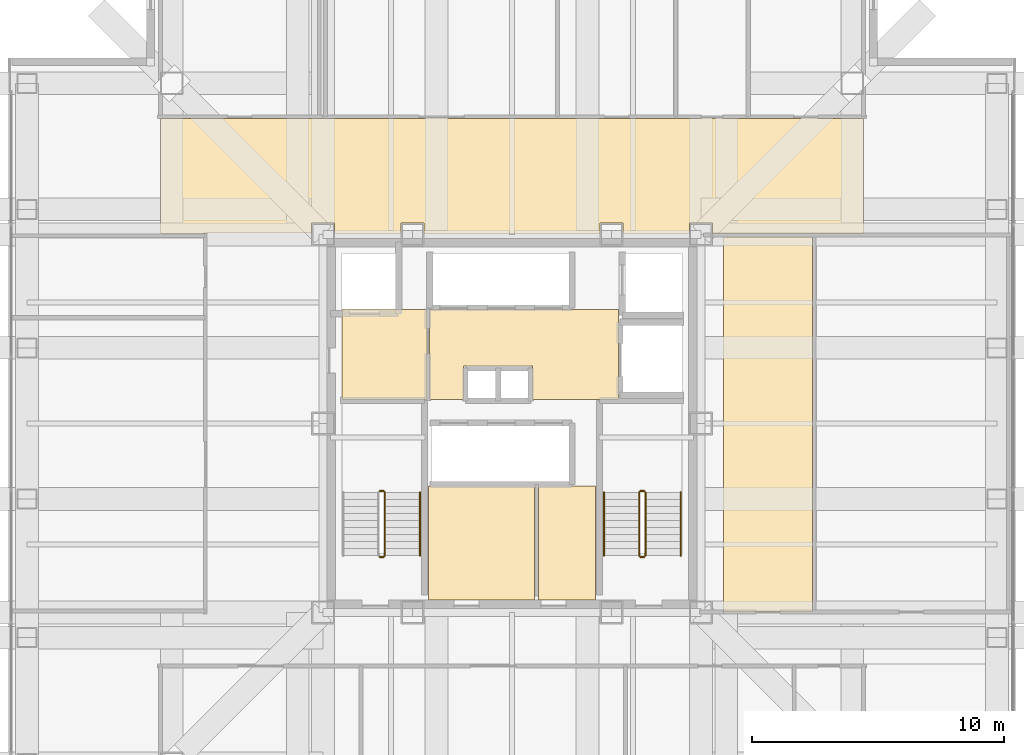
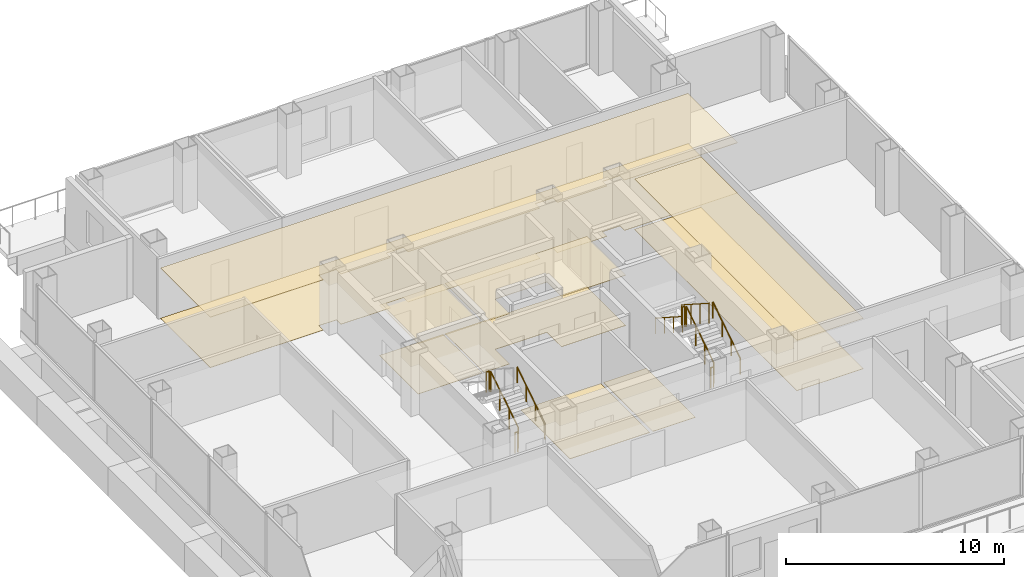
# One storey, part 13 of 14: 10 coverings, 10 railings.
"""IFC4 building model written with IfcOpenShell, lengths in metres."""

from ifc_helpers import new_model, si_unit, direction, frame, origin, origin_2d, place, context, subcontext, project, spatial, polyline, circle, outline, extrude, material, layer, layer_set, type_object, element, save


model = new_model("IFC4")

# Units and contexts
model_context = context("Model", 3, precision=1e-05, world=origin(), true_north=direction((0.0, 1.0)))
body_context = subcontext(model_context, "Body", "Model", "MODEL_VIEW")
ifc_project = project(units=[si_unit("LENGTHUNIT", "METRE"), si_unit("AREAUNIT", "SQUARE_METRE"), si_unit("VOLUMEUNIT", "CUBIC_METRE"), si_unit("PLANEANGLEUNIT", "RADIAN"), si_unit("MASSUNIT", "GRAM", prefix="KILO")], contexts=[model_context])

# Site, building, storey
site_placement = place(None, origin())
site = spatial("IfcSite", under=ifc_project, at=site_placement, CompositionType="ELEMENT")
building_placement = place(site_placement, origin())
building = spatial("IfcBuilding", under=site, at=building_placement, Name="Trevonay Congress Spire", CompositionType="ELEMENT")
storey_placement = place(building_placement, frame((0.0, 0.0, 166.199951171875)))
storey = spatial("IfcBuildingStorey", under=building, at=storey_placement, Name="L42", CompositionType="ELEMENT", Elevation=166.199951171875)

# Coverings
ifc_material_1 = material(Name="Acoustic Mineral Fibre Board", Category="gypsum")
ifc_layer_1 = layer(ifc_material_1, 0.02490234375, Name="Acoustic Mineral Fibre Board")
ifc_layer_set_1 = layer_set([ifc_layer_1], Name="Acoustic Mineral Fibre Board")
covering_type_1 = type_object("IfcCoveringType", Name="COV-CEIL-ACOUSTIC", PredefinedType="CEILING", material=ifc_layer_set_1)
covering_1_placement = place(storey_placement, frame((0.0, 0.0, 2.81005859375)))
element("IfcCovering", 1, at=covering_1_placement, inside=storey, type_object=covering_type_1, Name="L42 Firefighting Lift Lobby West acoustic suspended ceiling", PredefinedType="CEILING", context=body_context, shape_type="SweptSolid", body=[
    extrude(outline(polyline([(-6.75, 0.9599609375), (-3.3798828125, 0.9599609375), (-3.3798828125, 4.52001953125), (-6.75, 4.52001953125), (-6.75, 0.9599609375)])), origin(), (0.0, 0.0, 1.0), 0.02490234375),
])
covering_2_placement = place(storey_placement, frame((0.0, 0.0, 2.81005859375)))
element("IfcCovering", 2, at=covering_2_placement, inside=storey, type_object=covering_type_1, Name="L42 Central and High-Rise Passenger Lift Lobby acoustic suspended ceiling", PredefinedType="CEILING", context=body_context, shape_type="SweptSolid", body=[
    extrude(outline(polyline([(-3.280029296875, 0.949951171875), (-1.919921875, 0.949951171875), (-1.919921875, 2.280029296875), (0.820068359375, 2.280029296875), (0.820068359375, 0.949951171875), (4.219970703125, 0.949951171875), (4.219970703125, 4.52001953125), (-3.280029296875, 4.52001953125), (-3.280029296875, 0.949951171875)])), origin(), (0.0, 0.0, 1.0), 0.02490234375),
])
covering_3_placement = place(storey_placement, frame((0.0, 0.0, 2.81005859375)))
element("IfcCovering", 3, at=covering_3_placement, inside=storey, type_object=covering_type_1, Name="L42 North Sky Promenade Salon acoustic suspended ceiling", PredefinedType="CEILING", context=body_context, shape_type="SweptSolid", body=[
    extrude(outline(polyline([(-13.949951171875, 12.10009765625), (13.949951171875, 12.10009765625), (13.949951171875, 7.550048828125), (7.9599609375, 7.550048828125), (7.9599609375, 7.9599609375), (7.0400390625, 7.9599609375), (7.0400390625, 7.550048828125), (4.409912109375, 7.550048828125), (4.409912109375, 7.9599609375), (3.489990234375, 7.9599609375), (3.489990234375, 7.550048828125), (-3.489990234375, 7.550048828125), (-3.489990234375, 7.9599609375), (-4.409912109375, 7.9599609375), (-4.409912109375, 7.550048828125), (-7.0400390625, 7.550048828125), (-7.0400390625, 7.9599609375), (-7.9599609375, 7.9599609375), (-7.9599609375, 7.56005859375), (-12.110107421875, 7.56005859375), (-12.110107421875, 7.550048828125), (-13.949951171875, 7.550048828125), (-13.949951171875, 12.10009765625)])), origin(), (0.0, 0.0, 1.0), 0.02490234375),
])
covering_4_placement = place(storey_placement, frame((0.0, 0.0, 2.81005859375)))
element("IfcCovering", 4, at=covering_4_placement, inside=storey, type_object=covering_type_1, Name="L42 Corporate Reception Office acoustic suspended ceiling", PredefinedType="CEILING", context=body_context, shape_type="SweptSolid", body=[
    extrude(outline(polyline([(8.39990234375, -7.47998046875), (11.919921875, -7.47998046875), (11.919921875, 7.39990234375), (8.39990234375, 7.39990234375), (8.39990234375, -7.47998046875)])), origin(), (0.0, 0.0, 1.0), 0.02490234375),
])
ifc_material_2 = material(Name="Polished Granite Floor Tile", Category="masonry")
ifc_layer_2 = layer(ifc_material_2, 0.02001953125, Name="Polished Granite Floor Tile")
ifc_layer_set_2 = layer_set([ifc_layer_2], Name="Polished Granite Floor Tile")
covering_type_2 = type_object("IfcCoveringType", Name="COV-FLOOR-STONE", PredefinedType="FLOORING", material=ifc_layer_set_2)
covering_5_placement = place(storey_placement, origin())
element("IfcCovering", 5, at=covering_5_placement, inside=storey, type_object=covering_type_2, Name="L42 Firefighting Lift Lobby West floor finish", PredefinedType="FLOORING", context=body_context, shape_type="SweptSolid", body=[
    extrude(outline(polyline([(-6.75, 0.9599609375), (-3.3798828125, 0.9599609375), (-3.3798828125, 4.52001953125), (-6.75, 4.52001953125), (-6.75, 0.9599609375)])), origin(), (0.0, 0.0, 1.0), 0.02001953125),
])
covering_6_placement = place(storey_placement, origin())
element("IfcCovering", 6, at=covering_6_placement, inside=storey, type_object=covering_type_2, Name="L42 Central and High-Rise Passenger Lift Lobby floor finish", PredefinedType="FLOORING", context=body_context, shape_type="SweptSolid", body=[
    extrude(outline(polyline([(-3.280029296875, 0.949951171875), (-1.919921875, 0.949951171875), (-1.919921875, 2.280029296875), (0.820068359375, 2.280029296875), (0.820068359375, 0.949951171875), (4.219970703125, 0.949951171875), (4.219970703125, 4.52001953125), (-3.280029296875, 4.52001953125), (-3.280029296875, 0.949951171875)])), origin(), (0.0, 0.0, 1.0), 0.02001953125),
])
covering_7_placement = place(storey_placement, origin())
element("IfcCovering", 7, at=covering_7_placement, inside=storey, type_object=covering_type_2, Name="L42 Translation Equipment Hub floor finish", PredefinedType="FLOORING", context=body_context, shape_type="SweptSolid", body=[
    extrude(outline(polyline([(-3.320068359375, -7.0), (0.89990234375, -7.0), (0.89990234375, -2.47998046875), (-3.320068359375, -2.47998046875), (-3.320068359375, -7.0)])), origin(), (0.0, 0.0, 1.0), 0.02001953125),
])
covering_8_placement = place(storey_placement, origin())
element("IfcCovering", 8, at=covering_8_placement, inside=storey, type_object=covering_type_2, Name="L42 Floor Supplies Store floor finish", PredefinedType="FLOORING", context=body_context, shape_type="SweptSolid", body=[
    extrude(outline(polyline([(1.06005859375, -7.0), (3.320068359375, -7.0), (3.320068359375, -2.47998046875), (1.06005859375, -2.47998046875), (1.06005859375, -7.0)])), origin(), (0.0, 0.0, 1.0), 0.02001953125),
])
ifc_material_3 = material(Name="Engineered Oak Flooring", Category="wood")
ifc_layer_3 = layer(ifc_material_3, 0.01806640625, Name="Engineered Oak Flooring")
ifc_layer_set_3 = layer_set([ifc_layer_3], Name="Engineered Oak Flooring")
covering_type_3 = type_object("IfcCoveringType", Name="COV-FLOOR-TIMBER", PredefinedType="FLOORING", material=ifc_layer_set_3)
covering_9_placement = place(storey_placement, origin())
element("IfcCovering", 9, at=covering_9_placement, inside=storey, type_object=covering_type_3, Name="L42 North Sky Promenade Salon floor finish", PredefinedType="FLOORING", context=body_context, shape_type="SweptSolid", body=[
    extrude(outline(polyline([(-13.949951171875, 12.10009765625), (13.949951171875, 12.10009765625), (13.949951171875, 7.550048828125), (7.9599609375, 7.550048828125), (7.9599609375, 7.9599609375), (7.0400390625, 7.9599609375), (7.0400390625, 7.550048828125), (4.409912109375, 7.550048828125), (4.409912109375, 7.9599609375), (3.489990234375, 7.9599609375), (3.489990234375, 7.550048828125), (-3.489990234375, 7.550048828125), (-3.489990234375, 7.9599609375), (-4.409912109375, 7.9599609375), (-4.409912109375, 7.550048828125), (-7.0400390625, 7.550048828125), (-7.0400390625, 7.9599609375), (-7.9599609375, 7.9599609375), (-7.9599609375, 7.56005859375), (-12.110107421875, 7.56005859375), (-12.110107421875, 7.550048828125), (-13.949951171875, 7.550048828125), (-13.949951171875, 12.10009765625)])), origin(), (0.0, 0.0, 1.0), 0.01806640625),
])
covering_10_placement = place(storey_placement, origin())
element("IfcCovering", 10, at=covering_10_placement, inside=storey, type_object=covering_type_3, Name="L42 Corporate Reception Office floor finish", PredefinedType="FLOORING", context=body_context, shape_type="SweptSolid", body=[
    extrude(outline(polyline([(8.39990234375, -7.47998046875), (11.919921875, -7.47998046875), (11.919921875, 7.39990234375), (8.39990234375, 7.39990234375), (8.39990234375, -7.47998046875)])), origin(), (0.0, 0.0, 1.0), 0.01806640625),
])

# Railings
ifc_material_4 = material(Name="Pale Anodised Aluminium EN AW-6063-T6", Category="aluminium")
railing_type_1 = type_object("IfcRailingType", Name="RAL-STAIR-GUARD-110", PredefinedType="GUARDRAIL", material=ifc_material_4)
railing_1_placement = place(storey_placement, frame((-5.050048828125, -5.25, 0.179931640625)))
element("IfcRailing", 11, at=railing_1_placement, inside=storey, type_object=railing_type_1, Name="L42 ST-1 stair guard 1", PredefinedType="GUARDRAIL", context=body_context, shape_type="SweptSolid", body=[
    extrude(circle(Radius=0.02392578125, at=origin_2d()), frame((0.0, 0.0, 1.1259765625), z_axis=(0.0, 0.841162588446, 0.540782303519), x_axis=(-1.0, 0.0, 0.0)), (0.0, 0.0, 1.0), 2.995849609375),
    extrude(circle(Radius=0.02099609375, at=origin_2d()), origin(), (0.0, 0.0, 1.0), 1.101806640625),
    extrude(circle(Radius=0.02099609375, at=origin_2d()), frame((0.0, 0.840087890625, 0.5400390625)), (0.0, 0.0, 1.0), 1.101806640625),
    extrude(circle(Radius=0.02099609375, at=origin_2d()), frame((0.0, 1.679931640625, 1.080078125)), (0.0, 0.0, 1.0), 1.101806640625),
    extrude(circle(Radius=0.02099609375, at=origin_2d()), frame((0.0, 2.52001953125, 1.6201171875)), (0.0, 0.0, 1.0), 1.101806640625),
])
for number, where, name in (
    (12, (-5.10009765625, -2.679931640625, 1.800048828125), "L42 ST-1 stair guard 2"),
    (13, (-5.10009765625, -5.300048828125, 0.0), "L42 ST-1 stair guard 4"),
):
    element("IfcRailing", number, at=place(storey_placement, frame(where)), inside=storey, type_object=railing_type_1, Name=name, PredefinedType="GUARDRAIL", context=body_context, shape_type="SweptSolid", body=[
        extrude(circle(Radius=0.02392578125, at=origin_2d()), frame((0.0, 0.0, 1.1259765625), z_axis=(-1.0, 0.0, 0.0), x_axis=(0.0, -1.0, 0.0)), (0.0, 0.0, 1.0), 0.14990234375),
        extrude(circle(Radius=0.02099609375, at=origin_2d()), origin(), (0.0, 0.0, 1.0), 1.101806640625),
        extrude(circle(Radius=0.02099609375, at=origin_2d()), frame((-0.14990234375, 0.0, 0.0)), (0.0, 0.0, 1.0), 1.101806640625),
    ])
railing_2_placement = place(storey_placement, frame((5.300048828125, -5.25, 0.179931640625)))
element("IfcRailing", 14, at=railing_2_placement, inside=storey, type_object=railing_type_1, Name="L42 ST-2 stair guard 1", PredefinedType="GUARDRAIL", context=body_context, shape_type="SweptSolid", body=[
    extrude(circle(Radius=0.02392578125, at=origin_2d()), frame((0.0, 0.0, 1.1259765625), z_axis=(0.0, 0.841162588446, 0.540782303519), x_axis=(-1.0, 0.0, 0.0)), (0.0, 0.0, 1.0), 2.995849609375),
    extrude(circle(Radius=0.02099609375, at=origin_2d()), origin(), (0.0, 0.0, 1.0), 1.101806640625),
    extrude(circle(Radius=0.02099609375, at=origin_2d()), frame((0.0, 0.840087890625, 0.5400390625)), (0.0, 0.0, 1.0), 1.101806640625),
    extrude(circle(Radius=0.02099609375, at=origin_2d()), frame((0.0, 1.679931640625, 1.080078125)), (0.0, 0.0, 1.0), 1.101806640625),
    extrude(circle(Radius=0.02099609375, at=origin_2d()), frame((0.0, 2.52001953125, 1.6201171875)), (0.0, 0.0, 1.0), 1.101806640625),
])
railing_3_placement = place(storey_placement, frame((5.25, -2.679931640625, 1.800048828125)))
element("IfcRailing", 15, at=railing_3_placement, inside=storey, type_object=railing_type_1, Name="L42 ST-2 stair guard 2", PredefinedType="GUARDRAIL", context=body_context, shape_type="SweptSolid", body=[
    extrude(circle(Radius=0.02392578125, at=origin_2d()), frame((0.0, 0.0, 1.1259765625), z_axis=(-1.0, 0.0, 0.0), x_axis=(0.0, -1.0, 0.0)), (0.0, 0.0, 1.0), 0.14990234375),
    extrude(circle(Radius=0.02099609375, at=origin_2d()), origin(), (0.0, 0.0, 1.0), 1.101806640625),
    extrude(circle(Radius=0.02099609375, at=origin_2d()), frame((-0.14990234375, 0.0, 0.0)), (0.0, 0.0, 1.0), 1.101806640625),
])
railing_4_placement = place(storey_placement, frame((5.050048828125, -2.72998046875, 1.97998046875)))
element("IfcRailing", 16, at=railing_4_placement, inside=storey, type_object=railing_type_1, Name="L42 ST-2 stair guard 3", PredefinedType="GUARDRAIL", context=body_context, shape_type="SweptSolid", body=[
    extrude(circle(Radius=0.02392578125, at=origin_2d()), frame((0.0, 0.0, 1.1259765625), z_axis=(0.0, -0.841162588446, 0.540782303519), x_axis=(1.0, 0.0, 0.0)), (0.0, 0.0, 1.0), 2.995849609375),
    extrude(circle(Radius=0.02099609375, at=origin_2d()), origin(), (0.0, 0.0, 1.0), 1.101806640625),
    extrude(circle(Radius=0.02099609375, at=origin_2d()), frame((0.0, -0.840087890625, 0.5400390625)), (0.0, 0.0, 1.0), 1.101806640625),
    extrude(circle(Radius=0.02099609375, at=origin_2d()), frame((0.0, -1.679931640625, 1.080078125)), (0.0, 0.0, 1.0), 1.101806640625),
    extrude(circle(Radius=0.02099609375, at=origin_2d()), frame((0.0, -2.52001953125, 1.6201171875)), (0.0, 0.0, 1.0), 1.101806640625),
])
railing_5_placement = place(storey_placement, frame((5.25, -5.300048828125, 0.0)))
element("IfcRailing", 17, at=railing_5_placement, inside=storey, type_object=railing_type_1, Name="L42 ST-2 stair guard 4", PredefinedType="GUARDRAIL", context=body_context, shape_type="SweptSolid", body=[
    extrude(circle(Radius=0.02392578125, at=origin_2d()), frame((0.0, 0.0, 1.1259765625), z_axis=(-1.0, 0.0, 0.0), x_axis=(0.0, -1.0, 0.0)), (0.0, 0.0, 1.0), 0.14990234375),
    extrude(circle(Radius=0.02099609375, at=origin_2d()), origin(), (0.0, 0.0, 1.0), 1.101806640625),
    extrude(circle(Radius=0.02099609375, at=origin_2d()), frame((-0.14990234375, 0.0, 0.0)), (0.0, 0.0, 1.0), 1.101806640625),
])
railing_type_2 = type_object("IfcRailingType", Name="RAL-STAIR-HANDRAIL", PredefinedType="HANDRAIL", material=ifc_material_4)
for number, where, name in (
    (18, (-3.64990234375, -5.25, 0.179931640625), "L42 ST-1 stair handrail 1"),
    (19, (6.699951171875, -5.25, 0.179931640625), "L42 ST-2 stair handrail 1"),
):
    element("IfcRailing", number, at=place(storey_placement, frame(where)), inside=storey, type_object=railing_type_2, Name=name, PredefinedType="HANDRAIL", context=body_context, shape_type="SweptSolid", body=[
        extrude(circle(Radius=0.02392578125, at=origin_2d()), frame((0.0, 0.0, 0.8759765625), z_axis=(0.0, 0.841162588446, 0.540782303519), x_axis=(-1.0, 0.0, 0.0)), (0.0, 0.0, 1.0), 2.995849609375),
        extrude(circle(Radius=0.02099609375, at=origin_2d()), origin(), (0.0, 0.0, 1.0), 0.851806640625),
        extrude(circle(Radius=0.02099609375, at=origin_2d()), frame((0.0, 0.840087890625, 0.5400390625)), (0.0, 0.0, 1.0), 0.851806640625),
        extrude(circle(Radius=0.02099609375, at=origin_2d()), frame((0.0, 1.679931640625, 1.080078125)), (0.0, 0.0, 1.0), 0.851806640625),
        extrude(circle(Radius=0.02099609375, at=origin_2d()), frame((0.0, 2.52001953125, 1.6201171875)), (0.0, 0.0, 1.0), 0.851806640625),
    ])
railing_6_placement = place(storey_placement, frame((3.64990234375, -2.72998046875, 1.97998046875)))
element("IfcRailing", 20, at=railing_6_placement, inside=storey, type_object=railing_type_2, Name="L42 ST-2 stair handrail 2", PredefinedType="HANDRAIL", context=body_context, shape_type="SweptSolid", body=[
    extrude(circle(Radius=0.02392578125, at=origin_2d()), frame((0.0, 0.0, 0.8759765625), z_axis=(0.0, -0.841162588446, 0.540782303519), x_axis=(1.0, 0.0, 0.0)), (0.0, 0.0, 1.0), 2.995849609375),
    extrude(circle(Radius=0.02099609375, at=origin_2d()), origin(), (0.0, 0.0, 1.0), 0.851806640625),
    extrude(circle(Radius=0.02099609375, at=origin_2d()), frame((0.0, -0.840087890625, 0.5400390625)), (0.0, 0.0, 1.0), 0.851806640625),
    extrude(circle(Radius=0.02099609375, at=origin_2d()), frame((0.0, -1.679931640625, 1.080078125)), (0.0, 0.0, 1.0), 0.851806640625),
    extrude(circle(Radius=0.02099609375, at=origin_2d()), frame((0.0, -2.52001953125, 1.6201171875)), (0.0, 0.0, 1.0), 0.851806640625),
])

save(model, "model.ifc")
